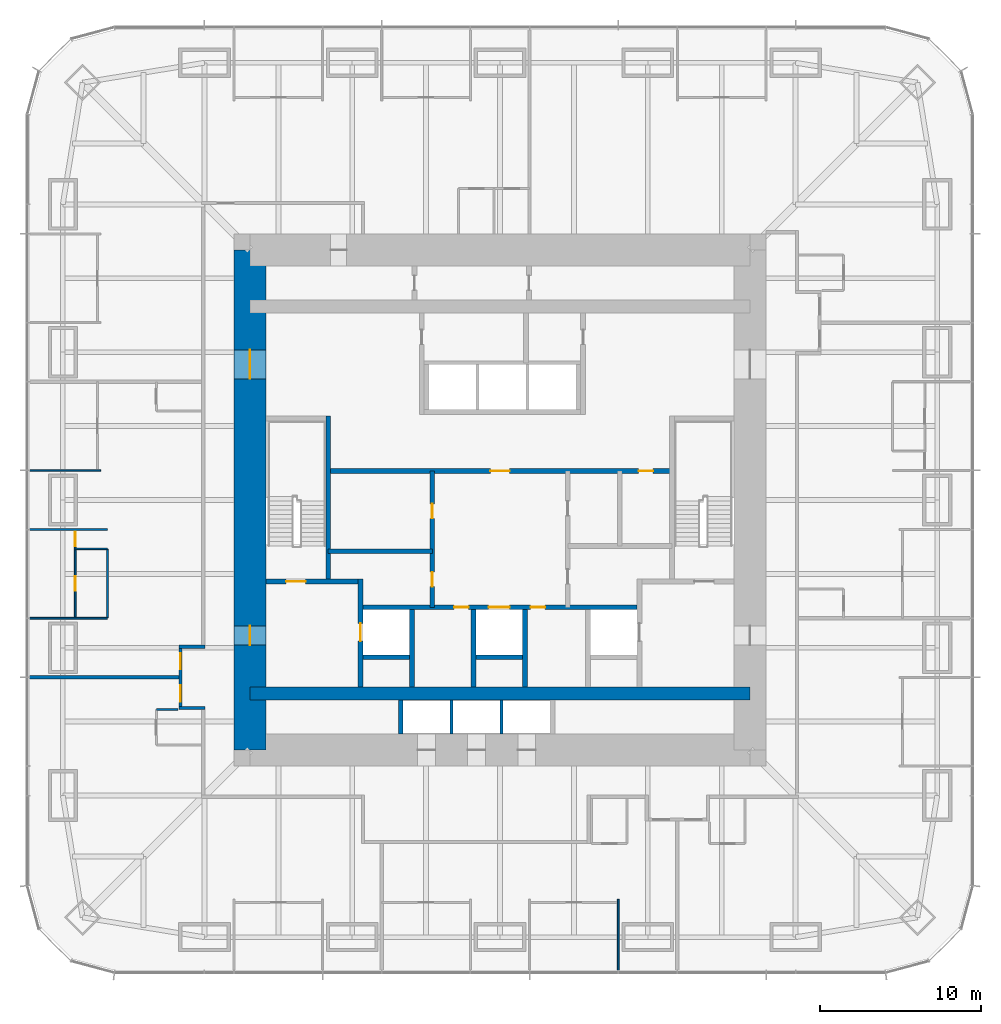
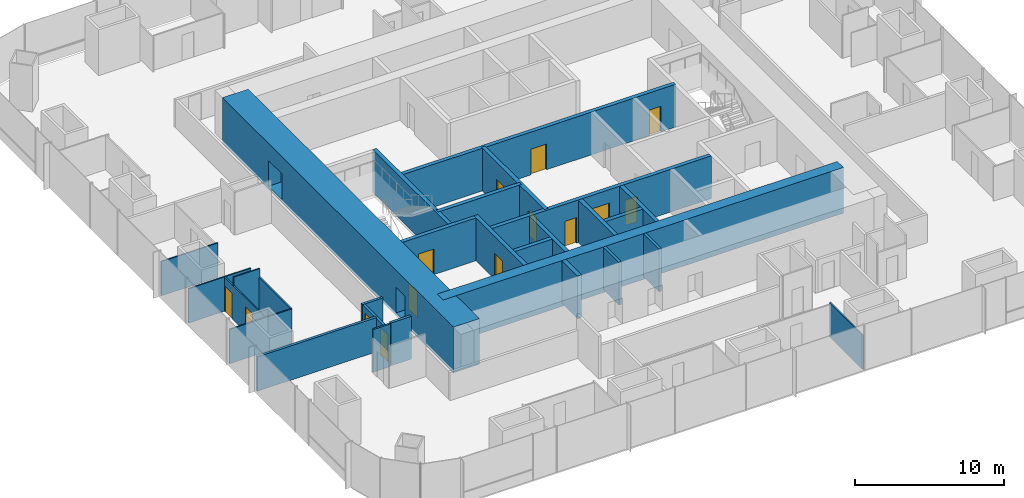
# One storey, part 9 of 13: 29 walls, 15 doors, 15 openings.
"""IFC4 building model written with IfcOpenShell, lengths in metres."""

from ifc_helpers import new_model, si_unit, direction, frame, frame_2d, origin, place, context, subcontext, project, spatial, rectangle, extrude, material, layer, layer_set, type_object, element, fill, save


model = new_model("IFC4")

# Units and contexts
model_context = context("Model", 3, precision=1e-05, world=origin(), true_north=direction((0.0, 1.0)))
body_context = subcontext(model_context, "Body", "Model", "MODEL_VIEW")
ifc_project = project(units=[si_unit("LENGTHUNIT", "METRE"), si_unit("AREAUNIT", "SQUARE_METRE"), si_unit("VOLUMEUNIT", "CUBIC_METRE"), si_unit("PLANEANGLEUNIT", "RADIAN"), si_unit("MASSUNIT", "GRAM", prefix="KILO")], contexts=[model_context])

# Site, building, storey
site_placement = place(None, origin())
site = spatial("IfcSite", under=ifc_project, at=site_placement, CompositionType="ELEMENT")
building_placement = place(site_placement, origin())
building = spatial("IfcBuilding", under=site, at=building_placement, Name="Khuree Lantern Residences", CompositionType="ELEMENT")
storey_placement = place(building_placement, frame((0.0, 0.0, 111.0)))
storey = spatial("IfcBuildingStorey", under=building, at=storey_placement, Name="L27", CompositionType="ELEMENT", Elevation=111.0)

# Walls
ifc_material_1 = material(Name="Moisture-resistant gypsum board on steel studs", Category="steel")
ifc_layer_1 = layer(ifc_material_1, 0.125)
ifc_layer_set_1 = layer_set([ifc_layer_1], Name="BATHROOM WALL BTW125")
wall_type_1 = type_object("IfcWallType", Name="BATHROOM WALL BTW125", PredefinedType="PARTITIONING", material=ifc_layer_set_1)
wall_1_placement = place(storey_placement, frame((-24.329833984375, -3.031982421875, 0.0), z_axis=(0.0, 0.0, 1.0), x_axis=(0.0, -1.0, 0.0)))
element("IfcWall", 1, at=wall_1_placement, inside=storey, type_object=wall_type_1, Name="L27 BATHROOM WALL 04", PredefinedType="PARTITIONING", context=body_context, shape_type="SweptSolid", body=[
    extrude(rectangle(XDim=4.2958984375, YDim=0.125, at=frame_2d((2.14794921875, 0.0))), origin(), (0.0, 0.0, 1.0), 2.81005859375),
])
wall_2_placement = place(storey_placement, frame((-19.969970703125, -12.991943359375, 0.0), z_axis=(0.0, 0.0, 1.0), x_axis=(-1.0, 0.0, 0.0)))
element("IfcWall", 2, at=wall_2_placement, inside=storey, type_object=wall_type_1, Name="L27 BATHROOM WALL 05", PredefinedType="PARTITIONING", context=body_context, shape_type="SweptSolid", body=[
    extrude(rectangle(XDim=1.330078125, YDim=0.125, at=frame_2d((0.6650390625, 0.0))), origin(), (0.0, 0.0, 1.0), 3.5),
])

# Wall, opening, door
ifc_material_2 = material(Name="Dense concrete blockwork", Category="masonry")
ifc_layer_2 = layer(ifc_material_2, 0.300048828125)
ifc_layer_set_2 = layer_set([ifc_layer_2], Name="CORE PARTITION WALL CPW300 EI 120")
wall_type_2 = type_object("IfcWallType", Name="CORE PARTITION WALL CPW300 EI 120", PredefinedType="PARTITIONING", material=ifc_layer_set_2)
wall_3_placement = place(storey_placement, frame((-8.64990234375, -11.60009765625, 0.0), z_axis=(0.0, 0.0, 1.0), x_axis=(0.0, 1.0, 0.0)))
wall_3 = element("IfcWall", 3, at=wall_3_placement, inside=storey, type_object=wall_type_2, Name="L27 CORE WALL FL1W", PredefinedType="PARTITIONING", context=body_context, shape_type="SweptSolid", body=[
    extrude(rectangle(XDim=6.7001953125, YDim=0.300048828125, at=frame_2d((3.35009765625, 0.0))), origin(), (0.0, 0.0, 1.0), 3.5),
])
opening_1_placement = place(wall_3_placement, frame((2.85009765625, 0.0, 0.0)))
opening_1 = element("IfcOpeningElement", 4, at=opening_1_placement, cuts=wall_3, Name="Opening 27-007", PredefinedType="OPENING", context=body_context, shape_type="SweptSolid", body=[
    extrude(rectangle(XDim=1.10009765625, YDim=2.10009765625, at=frame_2d((0.550048828125, 1.050048828125))), frame((0.0, 0.16015625, 0.0), z_axis=(0.0, -1.0, 0.0), x_axis=(1.0, 0.0, 0.0)), (0.0, 0.0, 1.0), 0.320068359375),
])
ifc_material_3 = material(Name="Stainless steel lift landing door", Category="steel")
door_type_1 = type_object("IfcDoorType", Name="LIFT LANDING DOOR 1100X2100 E 120", OperationType="DOUBLE_DOOR_SLIDING", PredefinedType="DOOR", material=ifc_material_3)
door_1_placement = place(opening_1_placement, origin())
door_1 = element("IfcDoor", 5, at=door_1_placement, inside=storey, type_object=door_type_1, Name="Landing door FL1 27-007", OperationType="DOUBLE_DOOR_SLIDING", OverallHeight=2.10009765625, OverallWidth=1.10009765625, PredefinedType="DOOR", context=body_context, shape_type="SweptSolid", body=[
    extrude(rectangle(XDim=1.10009765625, YDim=2.10009765625, at=frame_2d((0.550048828125, 1.050048828125))), frame((0.0, 0.02490234375, 0.0), z_axis=(0.0, -1.0, 0.0), x_axis=(1.0, 0.0, 0.0)), (0.0, 0.0, 1.0), 0.050048828125),
])
fill(opening_1, door_1)

# Wall, openings, doors
wall_4_placement = place(storey_placement, frame((-8.5, -6.64990234375, 0.0), z_axis=(0.0, 0.0, 1.0), x_axis=(1.0, 0.0, 0.0)))
wall_4 = element("IfcWall", 6, at=wall_4_placement, inside=storey, type_object=wall_type_2, Name="L27 CORE WALL FLROW", PredefinedType="PARTITIONING", context=body_context, shape_type="SweptSolid", body=[
    extrude(rectangle(XDim=17.0, YDim=0.300048828125, at=frame_2d((8.5, 0.0))), origin(), (0.0, 0.0, 1.0), 3.5),
])
opening_2_placement = place(wall_4_placement, frame((7.800048828125, 0.0, 0.0)))
opening_2 = element("IfcOpeningElement", 7, at=opening_2_placement, cuts=wall_4, Name="Opening 27-012", PredefinedType="OPENING", context=body_context, shape_type="SweptSolid", body=[
    extrude(rectangle(XDim=1.300048828125, YDim=2.39990234375, at=frame_2d((0.64990234375, 1.199951171875))), frame((0.0, 0.16015625, 0.0), z_axis=(0.0, -1.0, 0.0), x_axis=(1.0, 0.0, 0.0)), (0.0, 0.0, 1.0), 0.320068359375),
])
opening_3_placement = place(wall_4_placement, frame((5.64990234375, 0.0, 0.0)))
opening_3 = element("IfcOpeningElement", 8, at=opening_3_placement, cuts=wall_4, Name="Opening 27-014", PredefinedType="OPENING", context=body_context, shape_type="SweptSolid", body=[
    extrude(rectangle(XDim=0.89990234375, YDim=2.10009765625, at=frame_2d((0.449951171875, 1.050048828125))), frame((0.0, 0.16015625, 0.0), z_axis=(0.0, -1.0, 0.0), x_axis=(1.0, 0.0, 0.0)), (0.0, 0.0, 1.0), 0.320068359375),
])
opening_4_placement = place(wall_4_placement, frame((10.39990234375, 0.0, 0.0)))
opening_4 = element("IfcOpeningElement", 9, at=opening_4_placement, cuts=wall_4, Name="Opening 27-015", PredefinedType="OPENING", context=body_context, shape_type="SweptSolid", body=[
    extrude(rectangle(XDim=0.89990234375, YDim=2.10009765625, at=frame_2d((0.449951171875, 1.050048828125))), frame((0.0, 0.16015625, 0.0), z_axis=(0.0, -1.0, 0.0), x_axis=(1.0, 0.0, 0.0)), (0.0, 0.0, 1.0), 0.320068359375),
])
ifc_material_4 = material(Name="Steel door leaf in steel frame", Category="steel")
door_type_2 = type_object("IfcDoorType", Name="DOOR 900X2100 EI 60", OperationType="SINGLE_SWING_LEFT", PredefinedType="DOOR", material=ifc_material_4)
door_2_placement = place(opening_3_placement, origin())
door_2 = element("IfcDoor", 10, at=door_2_placement, inside=storey, type_object=door_type_2, Name="Refuse chute room door 27-014", OperationType="SINGLE_SWING_LEFT", OverallHeight=2.10009765625, OverallWidth=0.89990234375, PredefinedType="DOOR", context=body_context, shape_type="SweptSolid", body=[
    extrude(rectangle(XDim=0.89990234375, YDim=2.10009765625, at=frame_2d((0.449951171875, 1.050048828125))), frame((0.0, 0.02490234375, 0.0), z_axis=(0.0, -1.0, 0.0), x_axis=(1.0, 0.0, 0.0)), (0.0, 0.0, 1.0), 0.050048828125),
])
fill(opening_3, door_2)
door_type_3 = type_object("IfcDoorType", Name="DOOR 900X2100 EI 60 RIGHT HAND", OperationType="SINGLE_SWING_RIGHT", PredefinedType="DOOR", material=ifc_material_4)
door_3_placement = place(opening_4_placement, origin())
door_3 = element("IfcDoor", 11, at=door_3_placement, inside=storey, type_object=door_type_3, Name="Electrical and plumbing riser door 27-015", OperationType="SINGLE_SWING_RIGHT", OverallHeight=2.10009765625, OverallWidth=0.89990234375, PredefinedType="DOOR", context=body_context, shape_type="SweptSolid", body=[
    extrude(rectangle(XDim=0.89990234375, YDim=2.10009765625, at=frame_2d((0.449951171875, 1.050048828125))), frame((0.0, 0.02490234375, 0.0), z_axis=(0.0, -1.0, 0.0), x_axis=(1.0, 0.0, 0.0)), (0.0, 0.0, 1.0), 0.050048828125),
])
fill(opening_4, door_3)
door_type_4 = type_object("IfcDoorType", Name="LIFT LANDING DOOR 1300X2400 E 60", OperationType="DOUBLE_DOOR_SLIDING", PredefinedType="DOOR", material=ifc_material_3)
door_4_placement = place(opening_2_placement, origin())
door_4 = element("IfcDoor", 12, at=door_4_placement, inside=storey, type_object=door_type_4, Name="Landing door SL1 27-012", OperationType="DOUBLE_DOOR_SLIDING", OverallHeight=2.39990234375, OverallWidth=1.300048828125, PredefinedType="DOOR", context=body_context, shape_type="SweptSolid", body=[
    extrude(rectangle(XDim=1.300048828125, YDim=2.39990234375, at=frame_2d((0.64990234375, 1.199951171875))), frame((0.0, 0.02490234375, 0.0), z_axis=(0.0, -1.0, 0.0), x_axis=(1.0, 0.0, 0.0)), (0.0, 0.0, 1.0), 0.050048828125),
])
fill(opening_2, door_4)

# Walls
for number, where, z_axis, x_axis, name in (
    (13, (-5.449951171875, -11.60009765625, 0.0), (0.0, 0.0, 1.0), (0.0, 1.0, 0.0), "L27 CORE WALL FL1E"),
    (14, (-1.64990234375, -11.60009765625, 0.0), (0.0, 0.0, 1.0), (0.0, 1.0, 0.0), "L27 CORE WALL SL1W"),
    (15, (1.550048828125, -11.60009765625, 0.0), (0.0, 0.0, 1.0), (0.0, 1.0, 0.0), "L27 CORE WALL SL1E"),
):
    element("IfcWall", number, at=place(storey_placement, frame(where, z_axis=z_axis, x_axis=x_axis)), inside=storey, type_object=wall_type_2, Name=name, PredefinedType="PARTITIONING", context=body_context, shape_type="SweptSolid", body=[
        extrude(rectangle(XDim=4.800048828125, YDim=0.300048828125, at=frame_2d((2.39990234375, 0.0))), origin(), (0.0, 0.0, 1.0), 3.5),
    ])
for number, where, z_axis, x_axis, name in (
    (16, (-8.5, -9.75, 0.0), (0.0, 0.0, 1.0), (1.0, 0.0, 0.0), "L27 CORE WALL FL1S"),
    (17, (-1.5, -9.75, 0.0), (0.0, 0.0, 1.0), (1.0, 0.0, 0.0), "L27 CORE WALL SL1S"),
):
    element("IfcWall", number, at=place(storey_placement, frame(where, z_axis=z_axis, x_axis=x_axis)), inside=storey, type_object=wall_type_2, Name=name, PredefinedType="PARTITIONING", context=body_context, shape_type="SweptSolid", body=[
        extrude(rectangle(XDim=2.89990234375, YDim=0.300048828125, at=frame_2d((1.449951171875, 0.0))), origin(), (0.0, 0.0, 1.0), 3.5),
    ])
wall_5_placement = place(storey_placement, frame((-6.14990234375, -14.5, 0.0), z_axis=(0.0, 0.0, 1.0), x_axis=(0.0, 1.0, 0.0)))
element("IfcWall", 18, at=wall_5_placement, inside=storey, type_object=wall_type_2, Name="L27 CORE WALL PMW", PredefinedType="PARTITIONING", context=body_context, shape_type="SweptSolid", body=[
    extrude(rectangle(XDim=2.10009765625, YDim=0.300048828125, at=frame_2d((1.050048828125, 0.0))), origin(), (0.0, 0.0, 1.0), 3.5),
])

# Wall, openings, doors
wall_6_placement = place(storey_placement, frame((-10.64990234375, 1.800048828125, 0.0), z_axis=(0.0, 0.0, 1.0), x_axis=(1.0, 0.0, 0.0)))
wall_6 = element("IfcWall", 19, at=wall_6_placement, inside=storey, type_object=wall_type_2, Name="L27 CORE WALL LLS", PredefinedType="PARTITIONING", context=body_context, shape_type="SweptSolid", body=[
    extrude(rectangle(XDim=21.2998046875, YDim=0.300048828125, at=frame_2d((10.64990234375, 0.0))), origin(), (0.0, 0.0, 1.0), 3.5),
])
opening_5_placement = place(wall_6_placement, frame((10.050048828125, 0.0, 0.0)))
opening_5 = element("IfcOpeningElement", 20, at=opening_5_placement, cuts=wall_6, Name="Opening 27-013", PredefinedType="OPENING", context=body_context, shape_type="SweptSolid", body=[
    extrude(rectangle(XDim=1.199951171875, YDim=2.10009765625, at=frame_2d((0.60009765625, 1.050048828125))), frame((0.0, 0.16015625, 0.0), z_axis=(0.0, -1.0, 0.0), x_axis=(1.0, 0.0, 0.0)), (0.0, 0.0, 1.0), 0.320068359375),
])
opening_6_placement = place(wall_6_placement, frame((19.238037109375, 0.0, 0.0)))
opening_6 = element("IfcOpeningElement", 21, at=opening_6_placement, cuts=wall_6, Name="Opening 27-020", PredefinedType="OPENING", context=body_context, shape_type="SweptSolid", body=[
    extrude(rectangle(XDim=0.89990234375, YDim=2.10009765625, at=frame_2d((0.449951171875, 1.050048828125))), frame((0.0, 0.16015625, 0.0), z_axis=(0.0, -1.0, 0.0), x_axis=(1.0, 0.0, 0.0)), (0.0, 0.0, 1.0), 0.320068359375),
])
door_type_5 = type_object("IfcDoorType", Name="DOOR 1200X2100 EI 60", OperationType="SINGLE_SWING_LEFT", PredefinedType="DOOR", material=ifc_material_4)
door_5_placement = place(opening_5_placement, origin())
door_5 = element("IfcDoor", 22, at=door_5_placement, inside=storey, type_object=door_type_5, Name="Service lift lobby door 27-013", OperationType="SINGLE_SWING_LEFT", OverallHeight=2.10009765625, OverallWidth=1.199951171875, PredefinedType="DOOR", context=body_context, shape_type="SweptSolid", body=[
    extrude(rectangle(XDim=1.199951171875, YDim=2.10009765625, at=frame_2d((0.60009765625, 1.050048828125))), frame((0.0, 0.02490234375, 0.0), z_axis=(0.0, -1.0, 0.0), x_axis=(1.0, 0.0, 0.0)), (0.0, 0.0, 1.0), 0.050048828125),
])
fill(opening_5, door_5)
ifc_material_5 = material(Name="Timber door leaf in hardwood frame", Category="wood")
door_type_6 = type_object("IfcDoorType", Name="DOOR 900X2100 RIGHT HAND", OperationType="SINGLE_SWING_RIGHT", PredefinedType="DOOR", material=ifc_material_5)
door_6_placement = place(opening_6_placement, origin())
door_6 = element("IfcDoor", 23, at=door_6_placement, inside=storey, type_object=door_type_6, Name="Building management room door 27-020", OperationType="SINGLE_SWING_RIGHT", OverallHeight=2.10009765625, OverallWidth=0.89990234375, PredefinedType="DOOR", context=body_context, shape_type="SweptSolid", body=[
    extrude(rectangle(XDim=0.89990234375, YDim=2.10009765625, at=frame_2d((0.449951171875, 1.050048828125))), frame((0.0, 0.02490234375, 0.0), z_axis=(0.0, -1.0, 0.0), x_axis=(1.0, 0.0, 0.0)), (0.0, 0.0, 1.0), 0.050048828125),
])
fill(opening_6, door_6)

wall_7_placement = place(storey_placement, frame((-4.199951171875, -6.64990234375, 0.0), z_axis=(0.0, 0.0, 1.0), x_axis=(0.0, 1.0, 0.0)))
wall_7 = element("IfcWall", 24, at=wall_7_placement, inside=storey, type_object=wall_type_2, Name="L27 CORE WALL SVW", PredefinedType="PARTITIONING", context=body_context, shape_type="SweptSolid", body=[
    extrude(rectangle(XDim=8.449951171875, YDim=0.300048828125, at=frame_2d((4.22509765625, 0.0))), origin(), (0.0, 0.0, 1.0), 3.5),
])
opening_7_placement = place(wall_7_placement, frame((1.284912109375, 0.0, 0.0)))
opening_7 = element("IfcOpeningElement", 25, at=opening_7_placement, cuts=wall_7, Name="Opening 27-016", PredefinedType="OPENING", context=body_context, shape_type="SweptSolid", body=[
    extrude(rectangle(XDim=0.89990234375, YDim=2.10009765625, at=frame_2d((0.449951171875, 1.050048828125))), frame((0.0, 0.16015625, 0.0), z_axis=(0.0, -1.0, 0.0), x_axis=(1.0, 0.0, 0.0)), (0.0, 0.0, 1.0), 0.320068359375),
])
opening_8_placement = place(wall_7_placement, frame((5.510009765625, 0.0, 0.0)))
opening_8 = element("IfcOpeningElement", 26, at=opening_8_placement, cuts=wall_7, Name="Opening 27-017", PredefinedType="OPENING", context=body_context, shape_type="SweptSolid", body=[
    extrude(rectangle(XDim=0.89990234375, YDim=2.10009765625, at=frame_2d((0.449951171875, 1.050048828125))), frame((0.0, 0.16015625, 0.0), z_axis=(0.0, -1.0, 0.0), x_axis=(1.0, 0.0, 0.0)), (0.0, 0.0, 1.0), 0.320068359375),
])
door_type_7 = type_object("IfcDoorType", Name="DOOR 900X2100", OperationType="SINGLE_SWING_LEFT", PredefinedType="DOOR", material=ifc_material_5)
door_7_placement = place(opening_7_placement, origin())
door_7 = element("IfcDoor", 27, at=door_7_placement, inside=storey, type_object=door_type_7, Name="Bulky waste store door 27-016", OperationType="SINGLE_SWING_LEFT", OverallHeight=2.10009765625, OverallWidth=0.89990234375, PredefinedType="DOOR", context=body_context, shape_type="SweptSolid", body=[
    extrude(rectangle(XDim=0.89990234375, YDim=2.10009765625, at=frame_2d((0.449951171875, 1.050048828125))), frame((0.0, 0.02490234375, 0.0), z_axis=(0.0, -1.0, 0.0), x_axis=(1.0, 0.0, 0.0)), (0.0, 0.0, 1.0), 0.050048828125),
])
fill(opening_7, door_7)
door_8_placement = place(opening_8_placement, origin())
door_8 = element("IfcDoor", 28, at=door_8_placement, inside=storey, type_object=door_type_7, Name="Residents' store door 27-017", OperationType="SINGLE_SWING_LEFT", OverallHeight=2.10009765625, OverallWidth=0.89990234375, PredefinedType="DOOR", context=body_context, shape_type="SweptSolid", body=[
    extrude(rectangle(XDim=0.89990234375, YDim=2.10009765625, at=frame_2d((0.449951171875, 1.050048828125))), frame((0.0, 0.02490234375, 0.0), z_axis=(0.0, -1.0, 0.0), x_axis=(1.0, 0.0, 0.0)), (0.0, 0.0, 1.0), 0.050048828125),
])
fill(opening_8, door_8)

# Walls
wall_8_placement = place(storey_placement, frame((-10.64990234375, -3.179931640625, 0.0), z_axis=(0.0, 0.0, 1.0), x_axis=(1.0, 0.0, 0.0)))
element("IfcWall", 29, at=wall_8_placement, inside=storey, type_object=wall_type_2, Name="L27 CORE WALL WX", PredefinedType="PARTITIONING", context=body_context, shape_type="SweptSolid", body=[
    extrude(rectangle(XDim=6.449951171875, YDim=0.300048828125, at=frame_2d((3.22509765625, 0.0))), origin(), (0.0, 0.0, 1.0), 3.5),
])
ifc_material_6 = material(Name="Gypsum board on steel studs", Category="steel")
ifc_layer_3 = layer(ifc_material_6, 0.199951171875)
ifc_layer_set_3 = layer_set([ifc_layer_3], Name="CORRIDOR WALL CRW200 EI 60")
wall_type_3 = type_object("IfcWallType", Name="CORRIDOR WALL CRW200 EI 60", PredefinedType="PARTITIONING", material=ifc_layer_set_3)
wall_9_placement = place(storey_placement, frame((-18.300048828125, -9.092041015625, 0.0), z_axis=(0.0, 0.0, 1.0), x_axis=(-1.0, 0.0, 0.0)))
element("IfcWall", 30, at=wall_9_placement, inside=storey, type_object=wall_type_3, Name="L27 CORRIDOR ALCOVE WALL WEST", PredefinedType="PARTITIONING", context=body_context, shape_type="SweptSolid", body=[
    extrude(rectangle(XDim=1.599853515625, YDim=0.199951171875, at=frame_2d((0.7998046875, 0.0))), origin(), (0.0, 0.0, 1.0), 2.699951171875),
])
wall_10_placement = place(storey_placement, frame((-18.300048828125, -12.89208984375, 0.0), z_axis=(0.0, 0.0, 1.0), x_axis=(-1.0, 0.0, 0.0)))
element("IfcWall", 31, at=wall_10_placement, inside=storey, type_object=wall_type_3, Name="L27 CORRIDOR ALCOVE WALL WEST", PredefinedType="PARTITIONING", context=body_context, shape_type="SweptSolid", body=[
    extrude(rectangle(XDim=1.599853515625, YDim=0.199951171875, at=frame_2d((0.7998046875, 0.0))), origin(), (0.0, 0.0, 1.0), 3.5),
])

# Wall, openings, doors
wall_11_placement = place(storey_placement, frame((-19.800048828125, -9.19189453125, 0.0), z_axis=(0.0, 0.0, 1.0), x_axis=(0.0, -1.0, 0.0)))
wall_11 = element("IfcWall", 32, at=wall_11_placement, inside=storey, type_object=wall_type_3, Name="L27 CORRIDOR ALCOVE WALL WEST", PredefinedType="PARTITIONING", context=body_context, shape_type="SweptSolid", body=[
    extrude(rectangle(XDim=3.60009765625, YDim=0.199951171875, at=frame_2d((1.800048828125, 0.0))), origin(), (0.0, 0.0, 1.0), 2.699951171875),
])
opening_9_placement = place(wall_11_placement, frame((0.300048828125, 0.0, 0.0)))
opening_9 = element("IfcOpeningElement", 33, at=opening_9_placement, cuts=wall_11, Name="Opening 27-044", PredefinedType="OPENING", context=body_context, shape_type="SweptSolid", body=[
    extrude(rectangle(XDim=1.0, YDim=2.199951171875, at=frame_2d((0.5, 1.10009765625))), frame((0.0, 0.10986328125, 0.0), z_axis=(0.0, -1.0, 0.0), x_axis=(1.0, 0.0, 0.0)), (0.0, 0.0, 1.0), 0.219970703125),
])
opening_10_placement = place(wall_11_placement, frame((2.300048828125, 0.0, 0.0)))
opening_10 = element("IfcOpeningElement", 34, at=opening_10_placement, cuts=wall_11, Name="Opening 27-047", PredefinedType="OPENING", context=body_context, shape_type="SweptSolid", body=[
    extrude(rectangle(XDim=1.0, YDim=2.199951171875, at=frame_2d((0.5, 1.10009765625))), frame((0.0, 0.10986328125, 0.0), z_axis=(0.0, -1.0, 0.0), x_axis=(1.0, 0.0, 0.0)), (0.0, 0.0, 1.0), 0.219970703125),
])
door_type_8 = type_object("IfcDoorType", Name="APARTMENT ENTRANCE DOOR 1000X2200 EI 30S", OperationType="SINGLE_SWING_LEFT", PredefinedType="DOOR", material=ifc_material_5)
door_9_placement = place(opening_9_placement, origin())
door_9 = element("IfcDoor", 35, at=door_9_placement, inside=storey, type_object=door_type_8, Name="Apartment 04 entrance door 27-044", OperationType="SINGLE_SWING_LEFT", OverallHeight=2.199951171875, OverallWidth=1.0, PredefinedType="DOOR", context=body_context, shape_type="SweptSolid", body=[
    extrude(rectangle(XDim=1.0, YDim=2.199951171875, at=frame_2d((0.5, 1.10009765625))), frame((0.0, 0.02490234375, 0.0), z_axis=(0.0, -1.0, 0.0), x_axis=(1.0, 0.0, 0.0)), (0.0, 0.0, 1.0), 0.050048828125),
])
fill(opening_9, door_9)
door_type_9 = type_object("IfcDoorType", Name="APARTMENT ENTRANCE DOOR 1000X2200 EI 30S RIGHT HAND", OperationType="SINGLE_SWING_RIGHT", PredefinedType="DOOR", material=ifc_material_5)
door_10_placement = place(opening_10_placement, origin())
door_10 = element("IfcDoor", 36, at=door_10_placement, inside=storey, type_object=door_type_9, Name="Apartment 05 entrance door 27-047", OperationType="SINGLE_SWING_RIGHT", OverallHeight=2.199951171875, OverallWidth=1.0, PredefinedType="DOOR", context=body_context, shape_type="SweptSolid", body=[
    extrude(rectangle(XDim=1.0, YDim=2.199951171875, at=frame_2d((0.5, 1.10009765625))), frame((0.0, 0.02490234375, 0.0), z_axis=(0.0, -1.0, 0.0), x_axis=(1.0, 0.0, 0.0)), (0.0, 0.0, 1.0), 0.050048828125),
])
fill(opening_10, door_10)

ifc_material_7 = material(Name="Concrete C70/85", Category="concrete")
ifc_layer_4 = layer(ifc_material_7, 2.0)
ifc_layer_set_4 = layer_set([ifc_layer_4], Name="CW2000-C70 CORE WALL C70 2000")
wall_type_4 = type_object("IfcWallType", Name="CW2000-C70 CORE WALL C70 2000", PredefinedType="SHEAR", material=ifc_layer_set_4)
wall_12_placement = place(storey_placement, frame((-15.5, -15.5, -0.25), z_axis=(0.0, 0.0, 1.0), x_axis=(0.0, 1.0, 0.0)))
wall_12 = element("IfcWall", 37, at=wall_12_placement, inside=storey, type_object=wall_type_4, Name="Core wall W", PredefinedType="SHEAR", context=body_context, shape_type="SweptSolid", body=[
    extrude(rectangle(XDim=31.0, YDim=2.0, at=frame_2d((15.5, 0.0))), origin(), (0.0, 0.0, 1.0), 3.75),
])
opening_11_placement = place(wall_12_placement, frame((6.5, 0.0, 0.25)))
opening_11 = element("IfcOpeningElement", 38, at=opening_11_placement, cuts=wall_12, Name="Opening 27-002", PredefinedType="OPENING", context=body_context, shape_type="SweptSolid", body=[
    extrude(rectangle(XDim=1.199951171875, YDim=2.10009765625, at=frame_2d((0.60009765625, 1.050048828125))), frame((0.0, 1.010009765625, 0.0), z_axis=(0.0, -1.0, 0.0), x_axis=(1.0, 0.0, 0.0)), (0.0, 0.0, 1.0), 2.02001953125),
])
opening_12_placement = place(wall_12_placement, frame((23.0, 0.0, 0.25)))
opening_12 = element("IfcOpeningElement", 39, at=opening_12_placement, cuts=wall_12, Name="Opening 27-003", PredefinedType="OPENING", context=body_context, shape_type="SweptSolid", body=[
    extrude(rectangle(XDim=1.800048828125, YDim=2.10009765625, at=frame_2d((0.89990234375, 1.050048828125))), frame((0.0, 1.010009765625, 0.0), z_axis=(0.0, -1.0, 0.0), x_axis=(1.0, 0.0, 0.0)), (0.0, 0.0, 1.0), 2.02001953125),
])
door_type_10 = type_object("IfcDoorType", Name="LOBBY DOOR 1200X2100 EI 120", OperationType="SINGLE_SWING_LEFT", PredefinedType="DOOR", material=ifc_material_4)
door_11_placement = place(opening_11_placement, origin())
door_11 = element("IfcDoor", 40, at=door_11_placement, inside=storey, type_object=door_type_10, Name="Firefighting lobby door 27-002", OperationType="SINGLE_SWING_LEFT", OverallHeight=2.10009765625, OverallWidth=1.199951171875, PredefinedType="DOOR", context=body_context, shape_type="SweptSolid", body=[
    extrude(rectangle(XDim=1.199951171875, YDim=2.10009765625, at=frame_2d((0.60009765625, 1.050048828125))), frame((0.0, 0.02490234375, 0.0), z_axis=(0.0, -1.0, 0.0), x_axis=(1.0, 0.0, 0.0)), (0.0, 0.0, 1.0), 0.050048828125),
])
fill(opening_11, door_11)
door_type_11 = type_object("IfcDoorType", Name="LOBBY DOUBLE DOOR 1800X2100 EI 60", OperationType="DOUBLE_DOOR_SINGLE_SWING", PredefinedType="DOOR", material=ifc_material_4)
door_12_placement = place(opening_12_placement, origin())
door_12 = element("IfcDoor", 41, at=door_12_placement, inside=storey, type_object=door_type_11, Name="Lift lobby door 27-003", OperationType="DOUBLE_DOOR_SINGLE_SWING", OverallHeight=2.10009765625, OverallWidth=1.800048828125, PredefinedType="DOOR", context=body_context, shape_type="SweptSolid", body=[
    extrude(rectangle(XDim=1.800048828125, YDim=2.10009765625, at=frame_2d((0.89990234375, 1.050048828125))), frame((0.0, 0.02490234375, 0.0), z_axis=(0.0, -1.0, 0.0), x_axis=(1.0, 0.0, 0.0)), (0.0, 0.0, 1.0), 0.050048828125),
])
fill(opening_12, door_12)

# Walls
ifc_layer_5 = layer(ifc_material_6, 0.199951171875)
ifc_layer_set_5 = layer_set([ifc_layer_5], Name="DEMISING WALL DMW200 EI 90")
wall_type_5 = type_object("IfcWallType", Name="DEMISING WALL DMW200 EI 90", PredefinedType="PARTITIONING", material=ifc_layer_set_5)
wall_13_placement = place(storey_placement, frame((-19.89990234375, -10.991943359375, 0.0), z_axis=(0.0, 0.0, 1.0), x_axis=(-1.0, 0.0, 0.0)))
element("IfcWall", 42, at=wall_13_placement, inside=storey, type_object=wall_type_5, Name="L27 DEMISING WALL 05", PredefinedType="PARTITIONING", context=body_context, shape_type="SweptSolid", body=[
    extrude(rectangle(XDim=9.25, YDim=0.199951171875, at=frame_2d((4.625, 0.0))), origin(), (0.0, 0.0, 1.0), 2.81005859375),
])
ifc_layer_6 = layer(ifc_material_6, 0.10009765625)
ifc_layer_set_6 = layer_set([ifc_layer_6], Name="PARTITION PT100")
wall_type_6 = type_object("IfcWallType", Name="PARTITION PT100", PredefinedType="PARTITIONING", material=ifc_layer_set_6)
wall_14_placement = place(storey_placement, frame((-24.75, 1.83203125, 0.0), z_axis=(0.0, 0.0, 1.0), x_axis=(-1.0, 0.0, 0.0)))
element("IfcWall", 43, at=wall_14_placement, inside=storey, type_object=wall_type_6, Name="L27 PARTITION 04", PredefinedType="PARTITIONING", context=body_context, shape_type="SweptSolid", body=[
    extrude(rectangle(XDim=4.39990234375, YDim=0.10009765625, at=frame_2d((2.199951171875, 0.0))), origin(), (0.0, 0.0, 1.0), 2.81005859375),
])
for number, where, z_axis, x_axis, name in (
    (44, (-24.329833984375, -1.83203125, 0.0), (0.0, 0.0, 1.0), (-1.0, 0.0, 0.0), "L27 PARTITION 04"),
    (45, (-24.329833984375, -7.327880859375, 0.0), (0.0, 0.0, 1.0), (-1.0, 0.0, 0.0), "L27 PARTITION 04"),
):
    element("IfcWall", number, at=place(storey_placement, frame(where, z_axis=z_axis, x_axis=x_axis)), inside=storey, type_object=wall_type_6, Name=name, PredefinedType="PARTITIONING", context=body_context, shape_type="SweptSolid", body=[
        extrude(rectangle(XDim=4.820068359375, YDim=0.10009765625, at=frame_2d((2.41015625, 0.0))), origin(), (0.0, 0.0, 1.0), 2.81005859375),
    ])
wall_15_placement = place(storey_placement, frame((7.327880859375, -24.75, 0.0), z_axis=(0.0, 0.0, 1.0), x_axis=(0.0, -1.0, 0.0)))
element("IfcWall", 46, at=wall_15_placement, inside=storey, type_object=wall_type_6, Name="L27 PARTITION 06", PredefinedType="PARTITIONING", context=body_context, shape_type="SweptSolid", body=[
    extrude(rectangle(XDim=4.39990234375, YDim=0.10009765625, at=frame_2d((2.199951171875, 0.0))), origin(), (0.0, 0.0, 1.0), 2.81005859375),
])

# Wall, openings, doors
wall_16_placement = place(storey_placement, frame((-26.329833984375, -1.83203125, 0.0), z_axis=(0.0, 0.0, 1.0), x_axis=(0.0, -1.0, 0.0)))
wall_16 = element("IfcWall", 47, at=wall_16_placement, inside=storey, type_object=wall_type_6, Name="L27 PARTITION 04", PredefinedType="PARTITIONING", context=body_context, shape_type="SweptSolid", body=[
    extrude(rectangle(XDim=5.495849609375, YDim=0.10009765625, at=frame_2d((2.748046875, 0.0))), origin(), (0.0, 0.0, 1.0), 2.81005859375),
])
opening_13_placement = place(wall_16_placement, frame((0.14990234375, 0.0, 0.0)))
opening_13 = element("IfcOpeningElement", 48, at=opening_13_placement, cuts=wall_16, Name="Opening 27-041", PredefinedType="OPENING", context=body_context, shape_type="SweptSolid", body=[
    extrude(rectangle(XDim=0.89990234375, YDim=2.10009765625, at=frame_2d((0.449951171875, 1.050048828125))), frame((0.0, 0.06005859375, 0.0), z_axis=(0.0, -1.0, 0.0), x_axis=(1.0, 0.0, 0.0)), (0.0, 0.0, 1.0), 0.1201171875),
])
opening_14_placement = place(wall_16_placement, frame((2.89794921875, 0.0, 0.0)))
opening_14 = element("IfcOpeningElement", 49, at=opening_14_placement, cuts=wall_16, Name="Opening 27-042", PredefinedType="OPENING", context=body_context, shape_type="SweptSolid", body=[
    extrude(rectangle(XDim=0.89990234375, YDim=2.10009765625, at=frame_2d((0.449951171875, 1.050048828125))), frame((0.0, 0.06005859375, 0.0), z_axis=(0.0, -1.0, 0.0), x_axis=(1.0, 0.0, 0.0)), (0.0, 0.0, 1.0), 0.1201171875),
])
door_type_12 = type_object("IfcDoorType", Name="BATHROOM DOOR 900X2100", OperationType="SINGLE_SWING_LEFT", PredefinedType="DOOR", material=ifc_material_5)
door_13_placement = place(opening_14_placement, origin())
door_13 = element("IfcDoor", 50, at=door_13_placement, inside=storey, type_object=door_type_12, Name="Bathroom door 27-042", OperationType="SINGLE_SWING_LEFT", OverallHeight=2.10009765625, OverallWidth=0.89990234375, PredefinedType="DOOR", context=body_context, shape_type="SweptSolid", body=[
    extrude(rectangle(XDim=0.89990234375, YDim=2.10009765625, at=frame_2d((0.449951171875, 1.050048828125))), frame((0.0, 0.02490234375, 0.0), z_axis=(0.0, -1.0, 0.0), x_axis=(1.0, 0.0, 0.0)), (0.0, 0.0, 1.0), 0.050048828125),
])
fill(opening_14, door_13)
door_type_13 = type_object("IfcDoorType", Name="BEDROOM DOOR 900X2100", OperationType="SINGLE_SWING_LEFT", PredefinedType="DOOR", material=ifc_material_5)
door_14_placement = place(opening_13_placement, origin())
door_14 = element("IfcDoor", 51, at=door_14_placement, inside=storey, type_object=door_type_13, Name="Bedroom door 27-041", OperationType="SINGLE_SWING_LEFT", OverallHeight=2.10009765625, OverallWidth=0.89990234375, PredefinedType="DOOR", context=body_context, shape_type="SweptSolid", body=[
    extrude(rectangle(XDim=0.89990234375, YDim=2.10009765625, at=frame_2d((0.449951171875, 1.050048828125))), frame((0.0, 0.02490234375, 0.0), z_axis=(0.0, -1.0, 0.0), x_axis=(1.0, 0.0, 0.0)), (0.0, 0.0, 1.0), 0.050048828125),
])
fill(opening_13, door_14)

# Walls
wall_17_placement = place(storey_placement, frame((-24.329833984375, -3.031982421875, 0.0), z_axis=(0.0, 0.0, 1.0), x_axis=(-1.0, 0.0, 0.0)))
element("IfcWall", 52, at=wall_17_placement, inside=storey, type_object=wall_type_6, Name="L27 PARTITION 04", PredefinedType="PARTITIONING", context=body_context, shape_type="SweptSolid", body=[
    extrude(rectangle(XDim=2.0, YDim=0.10009765625, at=frame_2d((1.0, 0.0))), origin(), (0.0, 0.0, 1.0), 3.5),
])
ifc_layer_7 = layer(ifc_material_2, 0.199951171875)
ifc_layer_set_7 = layer_set([ifc_layer_7], Name="SHAFT WALL SHW200 EI 120")
wall_type_7 = type_object("IfcWallType", Name="SHAFT WALL SHW200 EI 120", PredefinedType="PARTITIONING", material=ifc_layer_set_7)
for number, where, z_axis, x_axis, name in (
    (53, (-3.0, -14.5, 0.0), (0.0, 0.0, 1.0), (0.0, 1.0, 0.0), "L27 CORE WALL PMD1"),
    (54, (0.10009765625, -14.5, 0.0), (0.0, 0.0, 1.0), (0.0, 1.0, 0.0), "L27 CORE WALL PMD2"),
):
    element("IfcWall", number, at=place(storey_placement, frame(where, z_axis=z_axis, x_axis=x_axis)), inside=storey, type_object=wall_type_7, Name=name, PredefinedType="PARTITIONING", context=body_context, shape_type="SweptSolid", body=[
        extrude(rectangle(XDim=2.10009765625, YDim=0.199951171875, at=frame_2d((1.050048828125, 0.0))), origin(), (0.0, 0.0, 1.0), 3.5),
    ])
ifc_layer_8 = layer(ifc_material_7, 0.800048828125)
ifc_layer_set_8 = layer_set([ifc_layer_8], Name="SP800-C70 CORE SPINE WALL C70 800")
wall_type_8 = type_object("IfcWallType", Name="SP800-C70 CORE SPINE WALL C70 800", PredefinedType="SHEAR", material=ifc_layer_set_8)
wall_18_placement = place(storey_placement, frame((-15.5, -12.0, -0.25), z_axis=(0.0, 0.0, 1.0), x_axis=(1.0, 0.0, 0.0)))
element("IfcWall", 55, at=wall_18_placement, inside=storey, type_object=wall_type_8, Name="Core wall SPS", PredefinedType="SHEAR", context=body_context, shape_type="SweptSolid", body=[
    extrude(rectangle(XDim=31.0, YDim=0.800048828125, at=frame_2d((15.5, 0.0))), origin(), (0.0, 0.0, 1.0), 3.75),
])
ifc_material_8 = material(Name="Concrete C50/60", Category="concrete")
ifc_layer_9 = layer(ifc_material_8, 0.300048828125)
ifc_layer_set_9 = layer_set([ifc_layer_9], Name="STAIR WALL SRW300 C50/60 REI 240")
wall_type_9 = type_object("IfcWallType", Name="STAIR WALL SRW300 C50/60 REI 240", PredefinedType="SOLIDWALL", material=ifc_layer_set_9)
wall_19_placement = place(storey_placement, frame((-10.64990234375, -4.89990234375, 0.0), z_axis=(0.0, 0.0, 1.0), x_axis=(0.0, 1.0, 0.0)))
element("IfcWall", 56, at=wall_19_placement, inside=storey, type_object=wall_type_9, Name="L27 STAIR WALL ST1E", PredefinedType="SOLIDWALL", context=body_context, shape_type="SweptSolid", body=[
    extrude(rectangle(XDim=10.099853515625, YDim=0.300048828125, at=frame_2d((5.0498046875, 0.0))), origin(), (0.0, 0.0, 1.0), 3.5),
])

# Wall, opening, door
wall_20_placement = place(storey_placement, frame((-14.5, -5.050048828125, 0.0), z_axis=(0.0, 0.0, 1.0), x_axis=(1.0, 0.0, 0.0)))
wall_20 = element("IfcWall", 57, at=wall_20_placement, inside=storey, type_object=wall_type_9, Name="L27 STAIR WALL ST1S", PredefinedType="SOLIDWALL", context=body_context, shape_type="SweptSolid", body=[
    extrude(rectangle(XDim=5.699951171875, YDim=0.300048828125, at=frame_2d((2.85009765625, 0.0))), origin(), (0.0, 0.0, 1.0), 3.5),
])
opening_15_placement = place(wall_20_placement, frame((1.25, 0.0, 0.0)))
opening_15 = element("IfcOpeningElement", 58, at=opening_15_placement, cuts=wall_20, Name="Opening 27-001", PredefinedType="OPENING", context=body_context, shape_type="SweptSolid", body=[
    extrude(rectangle(XDim=1.199951171875, YDim=2.10009765625, at=frame_2d((0.60009765625, 1.050048828125))), frame((0.0, 0.16015625, 0.0), z_axis=(0.0, -1.0, 0.0), x_axis=(1.0, 0.0, 0.0)), (0.0, 0.0, 1.0), 0.320068359375),
])
door_type_14 = type_object("IfcDoorType", Name="STAIR DOOR 1200X2100 EI 120", OperationType="SINGLE_SWING_LEFT", PredefinedType="DOOR", material=ifc_material_4)
door_15_placement = place(opening_15_placement, origin())
door_15 = element("IfcDoor", 59, at=door_15_placement, inside=storey, type_object=door_type_14, Name="Stair ST1 door 27-001", OperationType="SINGLE_SWING_LEFT", OverallHeight=2.10009765625, OverallWidth=1.199951171875, PredefinedType="DOOR", context=body_context, shape_type="SweptSolid", body=[
    extrude(rectangle(XDim=1.199951171875, YDim=2.10009765625, at=frame_2d((0.60009765625, 1.050048828125))), frame((0.0, 0.02490234375, 0.0), z_axis=(0.0, -1.0, 0.0), x_axis=(1.0, 0.0, 0.0)), (0.0, 0.0, 1.0), 0.050048828125),
])
fill(opening_15, door_15)

save(model, "model.ifc")
